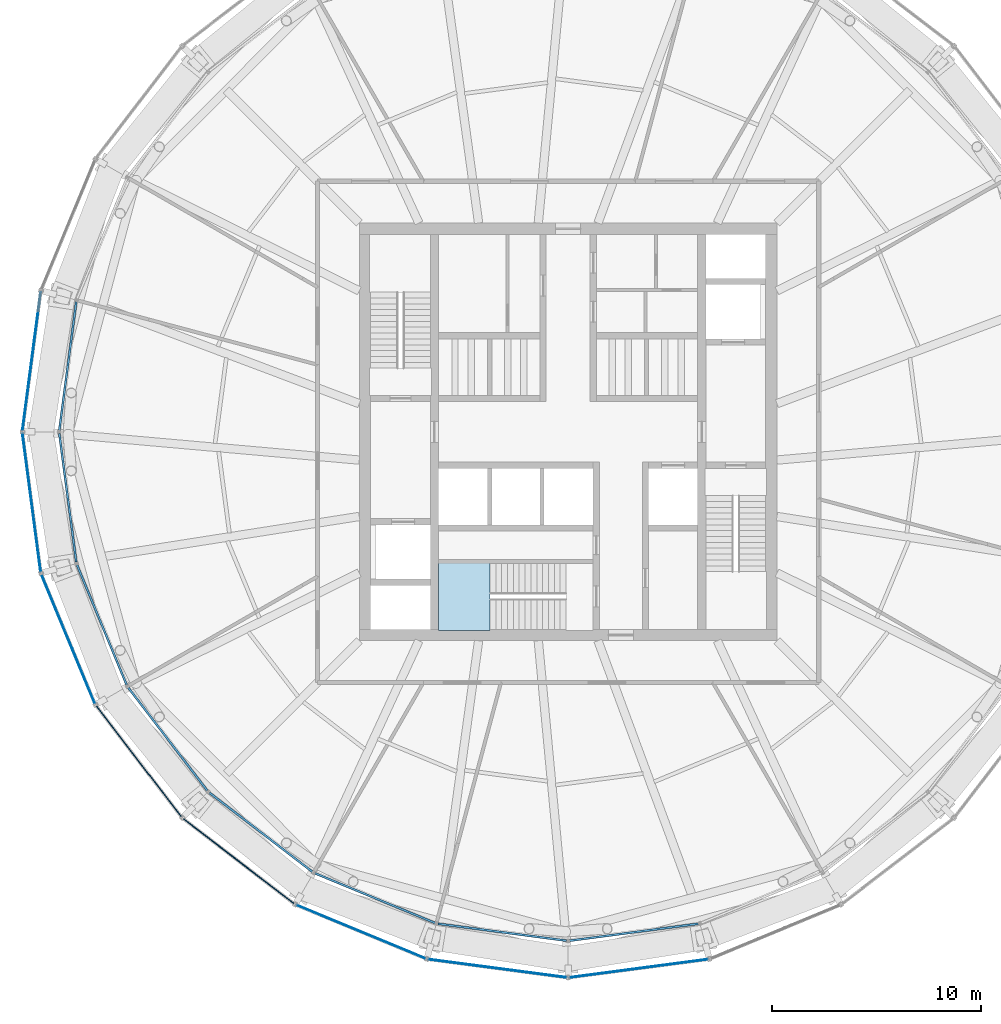
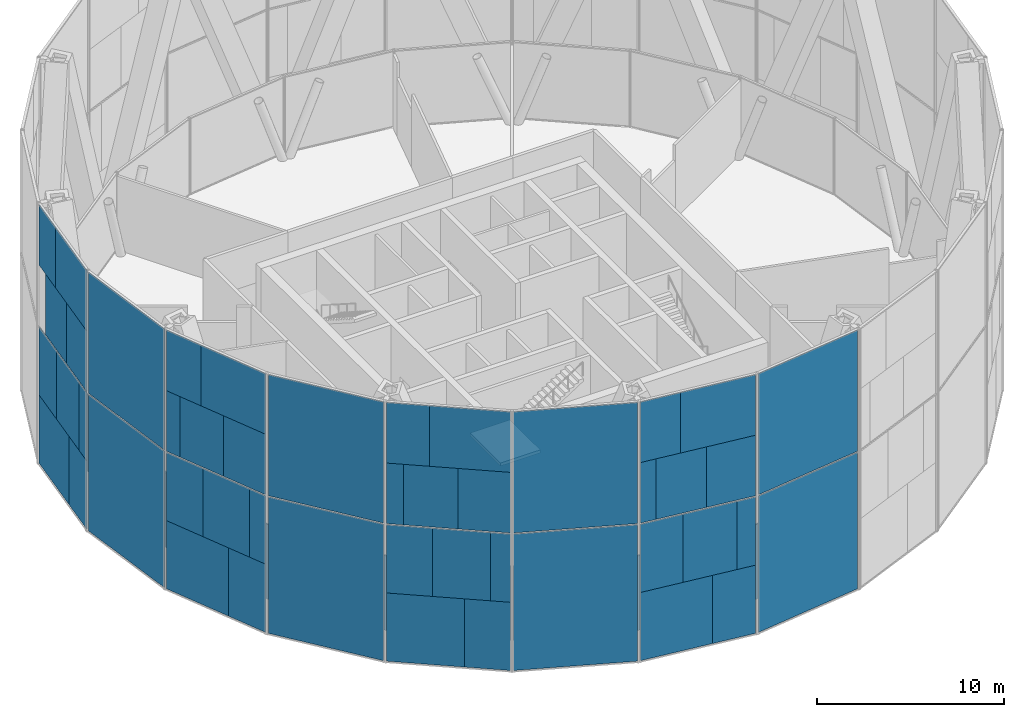
# One storey, part 10 of 17: 55 plates, 1 slab, 17 elements without a shape of their own.
"""IFC4 building model written with IfcOpenShell, lengths in metres."""

from ifc_helpers import new_model, si_unit, direction, frame, origin, origin_2d, place, context, subcontext, project, spatial, polyline, rectangle, outline, extrude, material, layer, layer_set, type_object, element, aggregate, save


model = new_model("IFC4")

# Units and contexts
model_context = context("Model", 3, precision=1e-05, world=origin(), true_north=direction((0.0, 1.0)))
body_context = subcontext(model_context, "Body", "Model", "MODEL_VIEW")
ifc_project = project(units=[si_unit("LENGTHUNIT", "METRE"), si_unit("AREAUNIT", "SQUARE_METRE"), si_unit("VOLUMEUNIT", "CUBIC_METRE"), si_unit("PLANEANGLEUNIT", "RADIAN"), si_unit("MASSUNIT", "GRAM", prefix="KILO")], contexts=[model_context])

# Site, building, storey
site_placement = place(None, origin())
site = spatial("IfcSite", under=ifc_project, at=site_placement, CompositionType="ELEMENT")
building_placement = place(site_placement, origin())
building = spatial("IfcBuilding", under=site, at=building_placement, Name="Golbaran Civic Tower", CompositionType="ELEMENT")
storey_placement = place(building_placement, frame((0.0, 0.0, 150.0)))
storey = spatial("IfcBuildingStorey", under=building, at=storey_placement, Name="L36", CompositionType="ELEMENT", Elevation=150.0)

# Curtain wall, plates
ifc_material_1 = material(Name="Aluminium and glass", Category="aluminium")
curtain_wall_type_1 = type_object("IfcCurtainWallType", Name="OUTER SKIN TERRACOTTA SCREEN", PredefinedType="NOTDEFINED", material=ifc_material_1)
curtain_wall_1_placement = place(storey_placement, origin())
curtain_wall_1 = element("IfcCurtainWall", 1, at=curtain_wall_1_placement, inside=storey, type_object=curtain_wall_type_1, Name="Outer skin L36 facet 12 CW3", ObjectType="OUTER SKIN", PredefinedType="USERDEFINED")
ifc_material_2 = material(Name="Clear laminated glass", Category="glass")
ifc_layer_1 = layer(ifc_material_2, 0.0400390625, Name="Clear laminated glass")
ifc_layer_set_1 = layer_set([ifc_layer_1], Name="Clear laminated glass")
plate_type_1 = type_object("IfcPlateType", Name="OUTER SKIN CLEAR GLASS PANEL", PredefinedType="CURTAIN_PANEL", material=ifc_layer_set_1)
plate_1_placement = place(storey_placement, frame((-25.52685546875, 4.612548828125, -0.6298828125), z_axis=(0.0, 0.0, 1.0), x_axis=(-0.130526192255, -0.991444861369, 0.0)))
plate_1 = element("IfcPlate", 2, at=plate_1_placement, type_object=plate_type_1, Name="CW3 panel 1.1 part 1", PredefinedType="CURTAIN_PANEL", context=body_context, shape_type="SweptSolid", body=[
    extrude(rectangle(XDim=4.179931640625, YDim=0.0400390625, at=origin_2d()), origin(), (0.0, 0.0, 1.0), 4.43994140625),
])
plate_2_placement = place(storey_placement, frame((-25.414794921875, 5.462158203125, 3.81005859375), z_axis=(0.0, 0.0, 1.0), x_axis=(-0.130526192255, -0.991444861369, 0.0)))
plate_2 = element("IfcPlate", 3, at=plate_2_placement, type_object=plate_type_1, Name="CW3 panel 1.1 part 3", PredefinedType="CURTAIN_PANEL", context=body_context, shape_type="SweptSolid", body=[
    extrude(rectangle(XDim=2.466064453125, YDim=0.0400390625, at=origin_2d()), origin(), (0.0, 0.0, 1.0), 4.43994140625),
])
plate_3_placement = place(storey_placement, frame((-26.052734375, 0.616943359375, 3.81005859375), z_axis=(0.0, 0.0, 1.0), x_axis=(-0.130526192255, -0.991444861369, 0.0)))
plate_3 = element("IfcPlate", 4, at=plate_3_placement, type_object=plate_type_1, Name="CW3 panel 1.1 part 5", PredefinedType="CURTAIN_PANEL", context=body_context, shape_type="SweptSolid", body=[
    extrude(rectangle(XDim=1.084228515625, YDim=0.0400390625, at=origin_2d()), origin(), (0.0, 0.0, 1.0), 4.43994140625),
])
plate_4_placement = place(storey_placement, frame((-25.938720703125, 1.48291015625, 8.330078125), z_axis=(0.0, 0.0, 1.0), x_axis=(-0.130526192255, -0.991444861369, 0.0)))
plate_4 = element("IfcPlate", 5, at=plate_4_placement, type_object=plate_type_1, Name="CW3 panel 1.2 part 3", PredefinedType="CURTAIN_PANEL", context=body_context, shape_type="SweptSolid", body=[
    extrude(rectangle(XDim=2.831298828125, YDim=0.0400390625, at=origin_2d()), origin(), (0.0, 0.0, 1.0), 3.93994140625),
])
plate_5_placement = place(storey_placement, frame((-25.83935546875, 2.2373046875, 12.27001953125), z_axis=(0.0, 0.0, 1.0), x_axis=(-0.130526192255, -0.991444861369, 0.0)))
plate_5 = element("IfcPlate", 6, at=plate_5_placement, type_object=plate_type_1, Name="CW3 panel 1.2 part 5", PredefinedType="CURTAIN_PANEL", context=body_context, shape_type="SweptSolid", body=[
    extrude(rectangle(XDim=4.353271484375, YDim=0.0400390625, at=origin_2d()), origin(), (0.0, 0.0, 1.0), 3.93994140625),
])

curtain_wall_2_placement = place(storey_placement, origin())
curtain_wall_2 = element("IfcCurtainWall", 7, at=curtain_wall_2_placement, inside=storey, type_object=curtain_wall_type_1, Name="Outer skin L36 facet 14 CW3", ObjectType="OUTER SKIN", PredefinedType="USERDEFINED")
plate_6_placement = place(storey_placement, frame((-24.4130859375, -8.768798828125, -0.6298828125), z_axis=(0.0, 0.0, 1.0), x_axis=(0.382683432284, -0.923879532545, 0.0)))
plate_6 = element("IfcPlate", 8, at=plate_6_placement, type_object=plate_type_1, Name="CW3 panel 1.1 part 1", PredefinedType="CURTAIN_PANEL", context=body_context, shape_type="SweptSolid", body=[
    extrude(rectangle(XDim=4.179931640625, YDim=0.0400390625, at=origin_2d()), origin(), (0.0, 0.0, 1.0), 4.43994140625),
])
plate_7_placement = place(storey_placement, frame((-24.740966796875, -7.97705078125, 3.81005859375), z_axis=(0.0, 0.0, 1.0), x_axis=(0.382683432284, -0.923879532545, 0.0)))
plate_7 = element("IfcPlate", 9, at=plate_7_placement, type_object=plate_type_1, Name="CW3 panel 1.1 part 3", PredefinedType="CURTAIN_PANEL", context=body_context, shape_type="SweptSolid", body=[
    extrude(rectangle(XDim=2.466064453125, YDim=0.0400390625, at=origin_2d()), origin(), (0.0, 0.0, 1.0), 4.43994140625),
])
plate_8_placement = place(storey_placement, frame((-22.870849609375, -12.4921875, 3.81005859375), z_axis=(0.0, 0.0, 1.0), x_axis=(0.382683432284, -0.923879532545, 0.0)))
plate_8 = element("IfcPlate", 10, at=plate_8_placement, type_object=plate_type_1, Name="CW3 panel 1.1 part 5", PredefinedType="CURTAIN_PANEL", context=body_context, shape_type="SweptSolid", body=[
    extrude(rectangle(XDim=1.084228515625, YDim=0.0400390625, at=origin_2d()), origin(), (0.0, 0.0, 1.0), 4.43994140625),
])
plate_9_placement = place(storey_placement, frame((-25.0380859375, -7.259521484375, 8.330078125), z_axis=(0.0, 0.0, 1.0), x_axis=(0.382683432284, -0.923879532545, 0.0)))
plate_9 = element("IfcPlate", 11, at=plate_9_placement, type_object=plate_type_1, Name="CW3 panel 1.2 part 1", PredefinedType="CURTAIN_PANEL", context=body_context, shape_type="SweptSolid", body=[
    extrude(rectangle(XDim=0.9130859375, YDim=0.0400390625, at=origin_2d()), origin(), (0.0, 0.0, 1.0), 3.93994140625),
])
plate_10_placement = place(storey_placement, frame((-23.205078125, -11.68505859375, 8.330078125), z_axis=(0.0, 0.0, 1.0), x_axis=(0.382683432284, -0.923879532545, 0.0)))
plate_10 = element("IfcPlate", 12, at=plate_10_placement, type_object=plate_type_1, Name="CW3 panel 1.2 part 3", PredefinedType="CURTAIN_PANEL", context=body_context, shape_type="SweptSolid", body=[
    extrude(rectangle(XDim=2.831298828125, YDim=0.0400390625, at=origin_2d()), origin(), (0.0, 0.0, 1.0), 3.93994140625),
])
plate_11_placement = place(storey_placement, frame((-23.496337890625, -10.982177734375, 12.27001953125), z_axis=(0.0, 0.0, 1.0), x_axis=(0.382683432284, -0.923879532545, 0.0)))
plate_11 = element("IfcPlate", 13, at=plate_11_placement, type_object=plate_type_1, Name="CW3 panel 1.2 part 5", PredefinedType="CURTAIN_PANEL", context=body_context, shape_type="SweptSolid", body=[
    extrude(rectangle(XDim=4.353271484375, YDim=0.0400390625, at=origin_2d()), origin(), (0.0, 0.0, 1.0), 3.93994140625),
])

curtain_wall_3_placement = place(storey_placement, origin())
curtain_wall_3 = element("IfcCurtainWall", 14, at=curtain_wall_3_placement, inside=storey, type_object=curtain_wall_type_1, Name="Outer skin L36 facet 16 CW3", ObjectType="OUTER SKIN", PredefinedType="USERDEFINED")
plate_12_placement = place(storey_placement, frame((-16.758056640625, -19.800537109375, -0.6298828125), z_axis=(0.0, 0.0, 1.0), x_axis=(0.793353340312, -0.608761428981, 0.0)))
plate_12 = element("IfcPlate", 15, at=plate_12_placement, type_object=plate_type_1, Name="CW3 panel 1.1 part 1", PredefinedType="CURTAIN_PANEL", context=body_context, shape_type="SweptSolid", body=[
    extrude(rectangle(XDim=4.179931640625, YDim=0.0400390625, at=origin_2d()), origin(), (0.0, 0.0, 1.0), 4.43994140625),
])
plate_13_placement = place(storey_placement, frame((-17.437744140625, -19.27880859375, 3.81005859375), z_axis=(0.0, 0.0, 1.0), x_axis=(0.793353340312, -0.608761428981, 0.0)))
plate_13 = element("IfcPlate", 16, at=plate_13_placement, type_object=plate_type_1, Name="CW3 panel 1.1 part 3", PredefinedType="CURTAIN_PANEL", context=body_context, shape_type="SweptSolid", body=[
    extrude(rectangle(XDim=2.466064453125, YDim=0.0400390625, at=origin_2d()), origin(), (0.0, 0.0, 1.0), 4.43994140625),
])
plate_14_placement = place(storey_placement, frame((-13.560546875, -22.25390625, 3.81005859375), z_axis=(0.0, 0.0, 1.0), x_axis=(0.793353340312, -0.608761428981, 0.0)))
plate_14 = element("IfcPlate", 17, at=plate_14_placement, type_object=plate_type_1, Name="CW3 panel 1.1 part 5", PredefinedType="CURTAIN_PANEL", context=body_context, shape_type="SweptSolid", body=[
    extrude(rectangle(XDim=1.084228515625, YDim=0.0400390625, at=origin_2d()), origin(), (0.0, 0.0, 1.0), 4.43994140625),
])
plate_15_placement = place(storey_placement, frame((-18.053955078125, -18.80615234375, 8.330078125), z_axis=(0.0, 0.0, 1.0), x_axis=(0.793353340312, -0.608761428981, 0.0)))
plate_15 = element("IfcPlate", 18, at=plate_15_placement, type_object=plate_type_1, Name="CW3 panel 1.2 part 1", PredefinedType="CURTAIN_PANEL", context=body_context, shape_type="SweptSolid", body=[
    extrude(rectangle(XDim=0.9130859375, YDim=0.0400390625, at=origin_2d()), origin(), (0.0, 0.0, 1.0), 3.93994140625),
])
plate_16_placement = place(storey_placement, frame((-14.253662109375, -21.72216796875, 8.330078125), z_axis=(0.0, 0.0, 1.0), x_axis=(0.793353340312, -0.608761428981, 0.0)))
plate_16 = element("IfcPlate", 19, at=plate_16_placement, type_object=plate_type_1, Name="CW3 panel 1.2 part 3", PredefinedType="CURTAIN_PANEL", context=body_context, shape_type="SweptSolid", body=[
    extrude(rectangle(XDim=2.831298828125, YDim=0.0400390625, at=origin_2d()), origin(), (0.0, 0.0, 1.0), 3.93994140625),
])
plate_17_placement = place(storey_placement, frame((-14.857421875, -21.259033203125, 12.27001953125), z_axis=(0.0, 0.0, 1.0), x_axis=(0.793353340312, -0.608761428981, 0.0)))
plate_17 = element("IfcPlate", 20, at=plate_17_placement, type_object=plate_type_1, Name="CW3 panel 1.2 part 5", PredefinedType="CURTAIN_PANEL", context=body_context, shape_type="SweptSolid", body=[
    extrude(rectangle(XDim=4.353271484375, YDim=0.0400390625, at=origin_2d()), origin(), (0.0, 0.0, 1.0), 3.93994140625),
])

curtain_wall_4_placement = place(storey_placement, origin())
curtain_wall_4 = element("IfcCurtainWall", 21, at=curtain_wall_4_placement, inside=storey, type_object=curtain_wall_type_1, Name="Outer skin L36 facet 18 CW3", ObjectType="OUTER SKIN", PredefinedType="USERDEFINED")
plate_18_placement = place(storey_placement, frame((-4.612548828125, -25.52685546875, -0.6298828125), z_axis=(0.0, 0.0, 1.0), x_axis=(0.991444861369, -0.130526192255, 0.0)))
plate_18 = element("IfcPlate", 22, at=plate_18_placement, type_object=plate_type_1, Name="CW3 panel 1.1 part 1", PredefinedType="CURTAIN_PANEL", context=body_context, shape_type="SweptSolid", body=[
    extrude(rectangle(XDim=4.179931640625, YDim=0.0400390625, at=origin_2d()), origin(), (0.0, 0.0, 1.0), 4.43994140625),
])
plate_19_placement = place(storey_placement, frame((-5.462158203125, -25.414794921875, 3.81005859375), z_axis=(0.0, 0.0, 1.0), x_axis=(0.991444861369, -0.130526192255, 0.0)))
plate_19 = element("IfcPlate", 23, at=plate_19_placement, type_object=plate_type_1, Name="CW3 panel 1.1 part 3", PredefinedType="CURTAIN_PANEL", context=body_context, shape_type="SweptSolid", body=[
    extrude(rectangle(XDim=2.466064453125, YDim=0.0400390625, at=origin_2d()), origin(), (0.0, 0.0, 1.0), 4.43994140625),
])
plate_20_placement = place(storey_placement, frame((-0.616943359375, -26.052734375, 3.81005859375), z_axis=(0.0, 0.0, 1.0), x_axis=(0.991444861369, -0.130526192255, 0.0)))
plate_20 = element("IfcPlate", 24, at=plate_20_placement, type_object=plate_type_1, Name="CW3 panel 1.1 part 5", PredefinedType="CURTAIN_PANEL", context=body_context, shape_type="SweptSolid", body=[
    extrude(rectangle(XDim=1.084228515625, YDim=0.0400390625, at=origin_2d()), origin(), (0.0, 0.0, 1.0), 4.43994140625),
])
plate_21_placement = place(storey_placement, frame((-6.232177734375, -25.3134765625, 8.330078125), z_axis=(0.0, 0.0, 1.0), x_axis=(0.991444861369, -0.130526192255, 0.0)))
plate_21 = element("IfcPlate", 25, at=plate_21_placement, type_object=plate_type_1, Name="CW3 panel 1.2 part 1", PredefinedType="CURTAIN_PANEL", context=body_context, shape_type="SweptSolid", body=[
    extrude(rectangle(XDim=0.9130859375, YDim=0.0400390625, at=origin_2d()), origin(), (0.0, 0.0, 1.0), 3.93994140625),
])
plate_22_placement = place(storey_placement, frame((-1.48291015625, -25.938720703125, 8.330078125), z_axis=(0.0, 0.0, 1.0), x_axis=(0.991444861369, -0.130526192255, 0.0)))
plate_22 = element("IfcPlate", 26, at=plate_22_placement, type_object=plate_type_1, Name="CW3 panel 1.2 part 3", PredefinedType="CURTAIN_PANEL", context=body_context, shape_type="SweptSolid", body=[
    extrude(rectangle(XDim=2.831298828125, YDim=0.0400390625, at=origin_2d()), origin(), (0.0, 0.0, 1.0), 3.93994140625),
])
plate_23_placement = place(storey_placement, frame((-2.2373046875, -25.83935546875, 12.27001953125), z_axis=(0.0, 0.0, 1.0), x_axis=(0.991444861369, -0.130526192255, 0.0)))
plate_23 = element("IfcPlate", 27, at=plate_23_placement, type_object=plate_type_1, Name="CW3 panel 1.2 part 5", PredefinedType="CURTAIN_PANEL", context=body_context, shape_type="SweptSolid", body=[
    extrude(rectangle(XDim=4.353271484375, YDim=0.0400390625, at=origin_2d()), origin(), (0.0, 0.0, 1.0), 3.93994140625),
])

# Plate
ifc_material_3 = material(Name="Terracotta baguette screen", Category="masonry")
ifc_layer_2 = layer(ifc_material_3, 0.0400390625, Name="Terracotta baguette screen")
ifc_layer_set_2 = layer_set([ifc_layer_2], Name="Terracotta baguette screen")
plate_type_2 = type_object("IfcPlateType", Name="OUTER SKIN TERRACOTTA INFILL PANEL", PredefinedType="CURTAIN_PANEL", material=ifc_layer_set_2)
plate_24_placement = place(storey_placement, frame((-25.961669921875, 1.309814453125, -0.6298828125), z_axis=(0.0, 0.0, 1.0), x_axis=(-0.130526192255, -0.991444861369, 0.0)))
plate_24 = element("IfcPlate", 28, at=plate_24_placement, type_object=plate_type_2, Name="CW3 infill panel 1.1 part 2", PredefinedType="CURTAIN_PANEL", context=body_context, shape_type="SweptSolid", body=[
    extrude(rectangle(XDim=2.482421875, YDim=0.0400390625, at=origin_2d()), origin(), (0.0, 0.0, 1.0), 4.43994140625),
])

plate_25_placement = place(storey_placement, frame((-25.77880859375, 2.697021484375, 3.81005859375), z_axis=(0.0, 0.0, 1.0), x_axis=(-0.130526192255, -0.991444861369, 0.0)))
plate_25 = element("IfcPlate", 29, at=plate_25_placement, type_object=plate_type_2, Name="CW3 infill panel 1.1 part 4", PredefinedType="CURTAIN_PANEL", context=body_context, shape_type="SweptSolid", body=[
    extrude(rectangle(XDim=3.112060546875, YDim=0.0400390625, at=origin_2d()), origin(), (0.0, 0.0, 1.0), 4.43994140625),
])

plate_26_placement = place(storey_placement, frame((-25.5634765625, 4.3330078125, 8.330078125), z_axis=(0.0, 0.0, 1.0), x_axis=(-0.130526192255, -0.991444861369, 0.0)))
plate_26 = element("IfcPlate", 30, at=plate_26_placement, type_object=plate_type_2, Name="CW3 infill panel 1.2 part 2", PredefinedType="CURTAIN_PANEL", context=body_context, shape_type="SweptSolid", body=[
    extrude(rectangle(XDim=2.91796875, YDim=0.0400390625, at=origin_2d()), origin(), (0.0, 0.0, 1.0), 3.93994140625),
])

plate_27_placement = place(storey_placement, frame((-25.404541015625, 5.5400390625, 12.27001953125), z_axis=(0.0, 0.0, 1.0), x_axis=(-0.130526192255, -0.991444861369, 0.0)))
plate_27 = element("IfcPlate", 31, at=plate_27_placement, type_object=plate_type_2, Name="CW3 infill panel 1.2 part 4", PredefinedType="CURTAIN_PANEL", context=body_context, shape_type="SweptSolid", body=[
    extrude(rectangle(XDim=2.30908203125, YDim=0.0400390625, at=origin_2d()), origin(), (0.0, 0.0, 1.0), 3.93994140625),
])

aggregate(curtain_wall_1, [plate_1, plate_24, plate_2, plate_25, plate_3, plate_26, plate_4, plate_27, plate_5])

plate_28_placement = place(storey_placement, frame((-23.13818359375, -11.846435546875, -0.6298828125), z_axis=(0.0, 0.0, 1.0), x_axis=(0.382683432284, -0.923879532545, 0.0)))
plate_28 = element("IfcPlate", 32, at=plate_28_placement, type_object=plate_type_2, Name="CW3 infill panel 1.1 part 2", PredefinedType="CURTAIN_PANEL", context=body_context, shape_type="SweptSolid", body=[
    extrude(rectangle(XDim=2.482421875, YDim=0.0400390625, at=origin_2d()), origin(), (0.0, 0.0, 1.0), 4.43994140625),
])

plate_29_placement = place(storey_placement, frame((-23.673828125, -10.5537109375, 3.81005859375), z_axis=(0.0, 0.0, 1.0), x_axis=(0.382683432284, -0.923879532545, 0.0)))
plate_29 = element("IfcPlate", 33, at=plate_29_placement, type_object=plate_type_2, Name="CW3 infill panel 1.1 part 4", PredefinedType="CURTAIN_PANEL", context=body_context, shape_type="SweptSolid", body=[
    extrude(rectangle(XDim=3.112060546875, YDim=0.0400390625, at=origin_2d()), origin(), (0.0, 0.0, 1.0), 4.43994140625),
])

plate_30_placement = place(storey_placement, frame((-24.30517578125, -9.029296875, 8.330078125), z_axis=(0.0, 0.0, 1.0), x_axis=(0.382683432284, -0.923879532545, 0.0)))
plate_30 = element("IfcPlate", 34, at=plate_30_placement, type_object=plate_type_2, Name="CW3 infill panel 1.2 part 2", PredefinedType="CURTAIN_PANEL", context=body_context, shape_type="SweptSolid", body=[
    extrude(rectangle(XDim=2.91796875, YDim=0.0400390625, at=origin_2d()), origin(), (0.0, 0.0, 1.0), 3.93994140625),
])

plate_31_placement = place(storey_placement, frame((-24.77099609375, -7.904541015625, 12.27001953125), z_axis=(0.0, 0.0, 1.0), x_axis=(0.382683432284, -0.923879532545, 0.0)))
plate_31 = element("IfcPlate", 35, at=plate_31_placement, type_object=plate_type_2, Name="CW3 infill panel 1.2 part 4", PredefinedType="CURTAIN_PANEL", context=body_context, shape_type="SweptSolid", body=[
    extrude(rectangle(XDim=2.30908203125, YDim=0.0400390625, at=origin_2d()), origin(), (0.0, 0.0, 1.0), 3.93994140625),
])

aggregate(curtain_wall_2, [plate_6, plate_28, plate_7, plate_29, plate_8, plate_9, plate_30, plate_10, plate_31, plate_11])

plate_32_placement = place(storey_placement, frame((-14.115234375, -21.828369140625, -0.6298828125), z_axis=(0.0, 0.0, 1.0), x_axis=(0.793353340312, -0.608761428981, 0.0)))
plate_32 = element("IfcPlate", 36, at=plate_32_placement, type_object=plate_type_2, Name="CW3 infill panel 1.1 part 2", PredefinedType="CURTAIN_PANEL", context=body_context, shape_type="SweptSolid", body=[
    extrude(rectangle(XDim=2.482421875, YDim=0.0400390625, at=origin_2d()), origin(), (0.0, 0.0, 1.0), 4.43994140625),
])

plate_33_placement = place(storey_placement, frame((-15.22509765625, -20.9765625, 3.81005859375), z_axis=(0.0, 0.0, 1.0), x_axis=(0.793353340312, -0.608761428981, 0.0)))
plate_33 = element("IfcPlate", 37, at=plate_33_placement, type_object=plate_type_2, Name="CW3 infill panel 1.1 part 4", PredefinedType="CURTAIN_PANEL", context=body_context, shape_type="SweptSolid", body=[
    extrude(rectangle(XDim=3.112060546875, YDim=0.0400390625, at=origin_2d()), origin(), (0.0, 0.0, 1.0), 4.43994140625),
])

plate_34_placement = place(storey_placement, frame((-16.5341796875, -19.97216796875, 8.330078125), z_axis=(0.0, 0.0, 1.0), x_axis=(0.793353340312, -0.608761428981, 0.0)))
plate_34 = element("IfcPlate", 38, at=plate_34_placement, type_object=plate_type_2, Name="CW3 infill panel 1.2 part 2", PredefinedType="CURTAIN_PANEL", context=body_context, shape_type="SweptSolid", body=[
    extrude(rectangle(XDim=2.91796875, YDim=0.0400390625, at=origin_2d()), origin(), (0.0, 0.0, 1.0), 3.93994140625),
])

plate_35_placement = place(storey_placement, frame((-17.500244140625, -19.23095703125, 12.27001953125), z_axis=(0.0, 0.0, 1.0), x_axis=(0.793353340312, -0.608761428981, 0.0)))
plate_35 = element("IfcPlate", 39, at=plate_35_placement, type_object=plate_type_2, Name="CW3 infill panel 1.2 part 4", PredefinedType="CURTAIN_PANEL", context=body_context, shape_type="SweptSolid", body=[
    extrude(rectangle(XDim=2.30908203125, YDim=0.0400390625, at=origin_2d()), origin(), (0.0, 0.0, 1.0), 3.93994140625),
])

aggregate(curtain_wall_3, [plate_12, plate_32, plate_13, plate_33, plate_14, plate_15, plate_34, plate_16, plate_35, plate_17])

plate_36_placement = place(storey_placement, frame((-1.309814453125, -25.961669921875, -0.6298828125), z_axis=(0.0, 0.0, 1.0), x_axis=(0.991444861369, -0.130526192255, 0.0)))
plate_36 = element("IfcPlate", 40, at=plate_36_placement, type_object=plate_type_2, Name="CW3 infill panel 1.1 part 2", PredefinedType="CURTAIN_PANEL", context=body_context, shape_type="SweptSolid", body=[
    extrude(rectangle(XDim=2.482421875, YDim=0.0400390625, at=origin_2d()), origin(), (0.0, 0.0, 1.0), 4.43994140625),
])

plate_37_placement = place(storey_placement, frame((-2.697021484375, -25.77880859375, 3.81005859375), z_axis=(0.0, 0.0, 1.0), x_axis=(0.991444861369, -0.130526192255, 0.0)))
plate_37 = element("IfcPlate", 41, at=plate_37_placement, type_object=plate_type_2, Name="CW3 infill panel 1.1 part 4", PredefinedType="CURTAIN_PANEL", context=body_context, shape_type="SweptSolid", body=[
    extrude(rectangle(XDim=3.112060546875, YDim=0.0400390625, at=origin_2d()), origin(), (0.0, 0.0, 1.0), 4.43994140625),
])

plate_38_placement = place(storey_placement, frame((-4.3330078125, -25.5634765625, 8.330078125), z_axis=(0.0, 0.0, 1.0), x_axis=(0.991444861369, -0.130526192255, 0.0)))
plate_38 = element("IfcPlate", 42, at=plate_38_placement, type_object=plate_type_2, Name="CW3 infill panel 1.2 part 2", PredefinedType="CURTAIN_PANEL", context=body_context, shape_type="SweptSolid", body=[
    extrude(rectangle(XDim=2.91796875, YDim=0.0400390625, at=origin_2d()), origin(), (0.0, 0.0, 1.0), 3.93994140625),
])

plate_39_placement = place(storey_placement, frame((-5.5400390625, -25.404541015625, 12.27001953125), z_axis=(0.0, 0.0, 1.0), x_axis=(0.991444861369, -0.130526192255, 0.0)))
plate_39 = element("IfcPlate", 43, at=plate_39_placement, type_object=plate_type_2, Name="CW3 infill panel 1.2 part 4", PredefinedType="CURTAIN_PANEL", context=body_context, shape_type="SweptSolid", body=[
    extrude(rectangle(XDim=2.30908203125, YDim=0.0400390625, at=origin_2d()), origin(), (0.0, 0.0, 1.0), 3.93994140625),
])

aggregate(curtain_wall_4, [plate_18, plate_36, plate_19, plate_37, plate_20, plate_21, plate_38, plate_22, plate_39, plate_23])

# Curtain wall, plates
curtain_wall_5_placement = place(storey_placement, origin())
curtain_wall_5 = element("IfcCurtainWall", 44, at=curtain_wall_5_placement, inside=storey, type_object=curtain_wall_type_1, Name="Outer skin L36 facet 13 CW3", ObjectType="OUTER SKIN", PredefinedType="USERDEFINED")
ifc_layer_3 = layer(ifc_material_3, 0.0400390625, Name="Terracotta baguette screen")
ifc_layer_set_3 = layer_set([ifc_layer_3], Name="Terracotta baguette screen")
plate_type_3 = type_object("IfcPlateType", Name="OUTER SKIN TERRACOTTA SCREEN PANEL", PredefinedType="CURTAIN_PANEL", material=ifc_layer_set_3)
plate_40_placement = place(storey_placement, frame((-25.688720703125, -3.382080078125, -0.6298828125), z_axis=(0.0, 0.0, 1.0), x_axis=(0.130526192255, -0.991444861369, 0.0)))
plate_40 = element("IfcPlate", 45, at=plate_40_placement, type_object=plate_type_3, Name="CW3 terracotta screen panel 1.1", PredefinedType="CURTAIN_PANEL", context=body_context, shape_type="SweptSolid", body=[
    extrude(rectangle(XDim=6.662353515625, YDim=0.0400390625, at=origin_2d()), origin(), (0.0, 0.0, 1.0), 8.8798828125),
])
plate_41_placement = place(storey_placement, frame((-25.688720703125, -3.382080078125, 8.330078125), z_axis=(0.0, 0.0, 1.0), x_axis=(0.130526192255, -0.991444861369, 0.0)))
plate_41 = element("IfcPlate", 46, at=plate_41_placement, type_object=plate_type_3, Name="CW3 terracotta screen panel 1.2", PredefinedType="CURTAIN_PANEL", context=body_context, shape_type="SweptSolid", body=[
    extrude(rectangle(XDim=6.662353515625, YDim=0.0400390625, at=origin_2d()), origin(), (0.0, 0.0, 1.0), 7.8798828125),
])
aggregate(curtain_wall_5, [plate_40, plate_41])

curtain_wall_6_placement = place(storey_placement, origin())
curtain_wall_6 = element("IfcCurtainWall", 47, at=curtain_wall_6_placement, inside=storey, type_object=curtain_wall_type_1, Name="Outer skin L36 facet 15 CW3", ObjectType="OUTER SKIN", PredefinedType="USERDEFINED")
plate_42_placement = place(storey_placement, frame((-20.55615234375, -15.773193359375, -0.6298828125), z_axis=(0.0, 0.0, 1.0), x_axis=(0.608761428981, -0.793353340312, 0.0)))
plate_42 = element("IfcPlate", 48, at=plate_42_placement, type_object=plate_type_3, Name="CW3 terracotta screen panel 1.1", PredefinedType="CURTAIN_PANEL", context=body_context, shape_type="SweptSolid", body=[
    extrude(rectangle(XDim=6.662353515625, YDim=0.0400390625, at=origin_2d()), origin(), (0.0, 0.0, 1.0), 8.8798828125),
])
plate_43_placement = place(storey_placement, frame((-20.55615234375, -15.773193359375, 8.330078125), z_axis=(0.0, 0.0, 1.0), x_axis=(0.608761428981, -0.793353340312, 0.0)))
plate_43 = element("IfcPlate", 49, at=plate_43_placement, type_object=plate_type_3, Name="CW3 terracotta screen panel 1.2", PredefinedType="CURTAIN_PANEL", context=body_context, shape_type="SweptSolid", body=[
    extrude(rectangle(XDim=6.662353515625, YDim=0.0400390625, at=origin_2d()), origin(), (0.0, 0.0, 1.0), 7.8798828125),
])
aggregate(curtain_wall_6, [plate_42, plate_43])

curtain_wall_7_placement = place(storey_placement, origin())
curtain_wall_7 = element("IfcCurtainWall", 50, at=curtain_wall_7_placement, inside=storey, type_object=curtain_wall_type_1, Name="Outer skin L36 facet 17 CW3", ObjectType="OUTER SKIN", PredefinedType="USERDEFINED")
plate_44_placement = place(storey_placement, frame((-9.91552734375, -23.93798828125, -0.6298828125), z_axis=(0.0, 0.0, 1.0), x_axis=(0.923879532545, -0.382683432284, 0.0)))
plate_44 = element("IfcPlate", 51, at=plate_44_placement, type_object=plate_type_3, Name="CW3 terracotta screen panel 1.1", PredefinedType="CURTAIN_PANEL", context=body_context, shape_type="SweptSolid", body=[
    extrude(rectangle(XDim=6.662353515625, YDim=0.0400390625, at=origin_2d()), origin(), (0.0, 0.0, 1.0), 8.8798828125),
])
plate_45_placement = place(storey_placement, frame((-9.91552734375, -23.93798828125, 8.330078125), z_axis=(0.0, 0.0, 1.0), x_axis=(0.923879532545, -0.382683432284, 0.0)))
plate_45 = element("IfcPlate", 52, at=plate_45_placement, type_object=plate_type_3, Name="CW3 terracotta screen panel 1.2", PredefinedType="CURTAIN_PANEL", context=body_context, shape_type="SweptSolid", body=[
    extrude(rectangle(XDim=6.662353515625, YDim=0.0400390625, at=origin_2d()), origin(), (0.0, 0.0, 1.0), 7.8798828125),
])
aggregate(curtain_wall_7, [plate_44, plate_45])

curtain_wall_8_placement = place(storey_placement, origin())
curtain_wall_8 = element("IfcCurtainWall", 53, at=curtain_wall_8_placement, inside=storey, type_object=curtain_wall_type_1, Name="Outer skin L36 facet 19 CW3", ObjectType="OUTER SKIN", PredefinedType="USERDEFINED")
plate_46_placement = place(storey_placement, frame((3.382080078125, -25.688720703125, -0.6298828125), z_axis=(0.0, 0.0, 1.0), x_axis=(0.991444861369, 0.130526192255, 0.0)))
plate_46 = element("IfcPlate", 54, at=plate_46_placement, type_object=plate_type_3, Name="CW3 terracotta screen panel 1.1", PredefinedType="CURTAIN_PANEL", context=body_context, shape_type="SweptSolid", body=[
    extrude(rectangle(XDim=6.662353515625, YDim=0.0400390625, at=origin_2d()), origin(), (0.0, 0.0, 1.0), 8.8798828125),
])
plate_47_placement = place(storey_placement, frame((3.382080078125, -25.688720703125, 8.330078125), z_axis=(0.0, 0.0, 1.0), x_axis=(0.991444861369, 0.130526192255, 0.0)))
plate_47 = element("IfcPlate", 55, at=plate_47_placement, type_object=plate_type_3, Name="CW3 terracotta screen panel 1.2", PredefinedType="CURTAIN_PANEL", context=body_context, shape_type="SweptSolid", body=[
    extrude(rectangle(XDim=6.662353515625, YDim=0.0400390625, at=origin_2d()), origin(), (0.0, 0.0, 1.0), 7.8798828125),
])
aggregate(curtain_wall_8, [plate_46, plate_47])

# Curtain wall, plate
curtain_wall_type_2 = type_object("IfcCurtainWallType", Name="PLANT FLOOR LOUVRE WALL", PredefinedType="NOTDEFINED", material=ifc_material_1)
curtain_wall_9_placement = place(storey_placement, origin())
curtain_wall_9 = element("IfcCurtainWall", 56, at=curtain_wall_9_placement, inside=storey, type_object=curtain_wall_type_2, Name="Inner skin L36 facet 12 CW6", ObjectType="PLANT LOUVRE WALL", PredefinedType="USERDEFINED")
ifc_material_4 = material(Name="Aluminium louvre", Category="aluminium")
ifc_layer_4 = layer(ifc_material_4, 0.10009765625, Name="Aluminium louvre")
ifc_layer_set_4 = layer_set([ifc_layer_4], Name="Aluminium louvre")
plate_type_4 = type_object("IfcPlateType", Name="PLANT FLOOR LOUVRE WALL LOUVRE PANEL", PredefinedType="CURTAIN_PANEL", material=ifc_layer_set_4)
plate_48_placement = place(storey_placement, frame((-23.954833984375, 3.15380859375, 0.06982421875), z_axis=(0.0, 0.0, 1.0), x_axis=(-0.130526192168, -0.991444861381, 0.0)))
plate_48 = element("IfcPlate", 57, at=plate_48_placement, type_object=plate_type_4, Name="CW6 panel 1.1", PredefinedType="CURTAIN_PANEL", context=body_context, shape_type="SweptSolid", body=[
    extrude(rectangle(XDim=6.221923828125, YDim=0.10009765625, at=origin_2d()), origin(), (0.0, 0.0, 1.0), 4.860107421875),
])
aggregate(curtain_wall_9, [plate_48])

curtain_wall_10_placement = place(storey_placement, origin())
curtain_wall_10 = element("IfcCurtainWall", 58, at=curtain_wall_10_placement, inside=storey, type_object=curtain_wall_type_2, Name="Inner skin L36 facet 13 CW6", ObjectType="PLANT LOUVRE WALL", PredefinedType="USERDEFINED")
plate_49_placement = place(storey_placement, frame((-23.954833984375, -3.15380859375, 0.06982421875), z_axis=(0.0, 0.0, 1.0), x_axis=(0.130526192168, -0.991444861381, 0.0)))
plate_49 = element("IfcPlate", 59, at=plate_49_placement, type_object=plate_type_4, Name="CW6 panel 1.1", PredefinedType="CURTAIN_PANEL", context=body_context, shape_type="SweptSolid", body=[
    extrude(rectangle(XDim=6.221923828125, YDim=0.10009765625, at=origin_2d()), origin(), (0.0, 0.0, 1.0), 4.860107421875),
])
aggregate(curtain_wall_10, [plate_49])

curtain_wall_11_placement = place(storey_placement, origin())
curtain_wall_11 = element("IfcCurtainWall", 60, at=curtain_wall_11_placement, inside=storey, type_object=curtain_wall_type_2, Name="Inner skin L36 facet 14 CW6", ObjectType="PLANT LOUVRE WALL", PredefinedType="USERDEFINED")
plate_50_placement = place(storey_placement, frame((-22.322265625, -9.24609375, 0.06982421875), z_axis=(0.0, 0.0, 1.0), x_axis=(0.38268343243, -0.923879532485, 0.0)))
plate_50 = element("IfcPlate", 61, at=plate_50_placement, type_object=plate_type_4, Name="CW6 panel 1.1", PredefinedType="CURTAIN_PANEL", context=body_context, shape_type="SweptSolid", body=[
    extrude(rectangle(XDim=6.221923828125, YDim=0.10009765625, at=origin_2d()), origin(), (0.0, 0.0, 1.0), 4.860107421875),
])
aggregate(curtain_wall_11, [plate_50])

curtain_wall_12_placement = place(storey_placement, origin())
curtain_wall_12 = element("IfcCurtainWall", 62, at=curtain_wall_12_placement, inside=storey, type_object=curtain_wall_type_2, Name="Inner skin L36 facet 15 CW6", ObjectType="PLANT LOUVRE WALL", PredefinedType="USERDEFINED")
plate_51_placement = place(storey_placement, frame((-19.168701171875, -14.70849609375, 0.06982421875), z_axis=(0.0, 0.0, 1.0), x_axis=(0.608761428898, -0.793353340376, 0.0)))
plate_51 = element("IfcPlate", 63, at=plate_51_placement, type_object=plate_type_4, Name="CW6 panel 1.1", PredefinedType="CURTAIN_PANEL", context=body_context, shape_type="SweptSolid", body=[
    extrude(rectangle(XDim=6.221923828125, YDim=0.10009765625, at=origin_2d()), origin(), (0.0, 0.0, 1.0), 4.860107421875),
])
aggregate(curtain_wall_12, [plate_51])

curtain_wall_13_placement = place(storey_placement, origin())
curtain_wall_13 = element("IfcCurtainWall", 64, at=curtain_wall_13_placement, inside=storey, type_object=curtain_wall_type_2, Name="Inner skin L36 facet 16 CW6", ObjectType="PLANT LOUVRE WALL", PredefinedType="USERDEFINED")
plate_52_placement = place(storey_placement, frame((-14.70849609375, -19.168701171875, 0.06982421875), z_axis=(0.0, 0.0, 1.0), x_axis=(0.793353340376, -0.608761428898, 0.0)))
plate_52 = element("IfcPlate", 65, at=plate_52_placement, type_object=plate_type_4, Name="CW6 panel 1.1", PredefinedType="CURTAIN_PANEL", context=body_context, shape_type="SweptSolid", body=[
    extrude(rectangle(XDim=6.221923828125, YDim=0.10009765625, at=origin_2d()), origin(), (0.0, 0.0, 1.0), 4.860107421875),
])
aggregate(curtain_wall_13, [plate_52])

curtain_wall_14_placement = place(storey_placement, origin())
curtain_wall_14 = element("IfcCurtainWall", 66, at=curtain_wall_14_placement, inside=storey, type_object=curtain_wall_type_2, Name="Inner skin L36 facet 17 CW6", ObjectType="PLANT LOUVRE WALL", PredefinedType="USERDEFINED")
plate_53_placement = place(storey_placement, frame((-9.24609375, -22.322265625, 0.06982421875), z_axis=(0.0, 0.0, 1.0), x_axis=(0.923879532485, -0.38268343243, 0.0)))
plate_53 = element("IfcPlate", 67, at=plate_53_placement, type_object=plate_type_4, Name="CW6 panel 1.1", PredefinedType="CURTAIN_PANEL", context=body_context, shape_type="SweptSolid", body=[
    extrude(rectangle(XDim=6.221923828125, YDim=0.10009765625, at=origin_2d()), origin(), (0.0, 0.0, 1.0), 4.860107421875),
])
aggregate(curtain_wall_14, [plate_53])

curtain_wall_15_placement = place(storey_placement, origin())
curtain_wall_15 = element("IfcCurtainWall", 68, at=curtain_wall_15_placement, inside=storey, type_object=curtain_wall_type_2, Name="Inner skin L36 facet 18 CW6", ObjectType="PLANT LOUVRE WALL", PredefinedType="USERDEFINED")
plate_54_placement = place(storey_placement, frame((-3.15380859375, -23.954833984375, 0.06982421875), z_axis=(0.0, 0.0, 1.0), x_axis=(0.991444861381, -0.130526192168, 0.0)))
plate_54 = element("IfcPlate", 69, at=plate_54_placement, type_object=plate_type_4, Name="CW6 panel 1.1", PredefinedType="CURTAIN_PANEL", context=body_context, shape_type="SweptSolid", body=[
    extrude(rectangle(XDim=6.221923828125, YDim=0.10009765625, at=origin_2d()), origin(), (0.0, 0.0, 1.0), 4.860107421875),
])
aggregate(curtain_wall_15, [plate_54])

curtain_wall_16_placement = place(storey_placement, origin())
curtain_wall_16 = element("IfcCurtainWall", 70, at=curtain_wall_16_placement, inside=storey, type_object=curtain_wall_type_2, Name="Inner skin L36 facet 19 CW6", ObjectType="PLANT LOUVRE WALL", PredefinedType="USERDEFINED")
plate_55_placement = place(storey_placement, frame((3.15380859375, -23.954833984375, 0.06982421875), z_axis=(0.0, 0.0, 1.0), x_axis=(0.991444861381, 0.130526192168, 0.0)))
plate_55 = element("IfcPlate", 71, at=plate_55_placement, type_object=plate_type_4, Name="CW6 panel 1.1", PredefinedType="CURTAIN_PANEL", context=body_context, shape_type="SweptSolid", body=[
    extrude(rectangle(XDim=6.221923828125, YDim=0.10009765625, at=origin_2d()), origin(), (0.0, 0.0, 1.0), 4.860107421875),
])
aggregate(curtain_wall_16, [plate_55])

# Stair, slab
ifc_material_5 = material(Name="Concrete C35/45", Category="concrete")
stair_type = type_object("IfcStairType", Name="EXIT STAIR 3150 x 7400, 5000 RISE", PredefinedType="HALF_TURN_STAIR", material=ifc_material_5)
stair_placement = place(storey_placement, origin())
stair = element("IfcStair", 72, at=stair_placement, inside=storey, type_object=stair_type, Name="Stair S3 L36", PredefinedType="HALF_TURN_STAIR")
ifc_layer_5 = layer(ifc_material_5, 0.199951171875, Name="Concrete C35/45")
ifc_layer_set_5 = layer_set([ifc_layer_5], Name="Concrete C35/45")
slab_type = type_object("IfcSlabType", Name="STAIR LANDING 200", PredefinedType="LANDING", material=ifc_layer_set_5)
slab_placement = place(storey_placement, frame((0.0, 0.0, 2.300048828125)))
slab = element("IfcSlab", 73, at=slab_placement, type_object=slab_type, Name="ST31574-50 landing 1", PredefinedType="LANDING", context=body_context, shape_type="SweptSolid", body=[
    extrude(outline(polyline([(-3.735107421875, -9.5), (-6.199951171875, -9.5), (-6.199951171875, -6.25), (-3.735107421875, -6.25), (-3.735107421875, -9.5)])), origin(), (0.0, 0.0, 1.0), 0.199951171875),
])
aggregate(stair, [slab])

save(model, "model.ifc")
